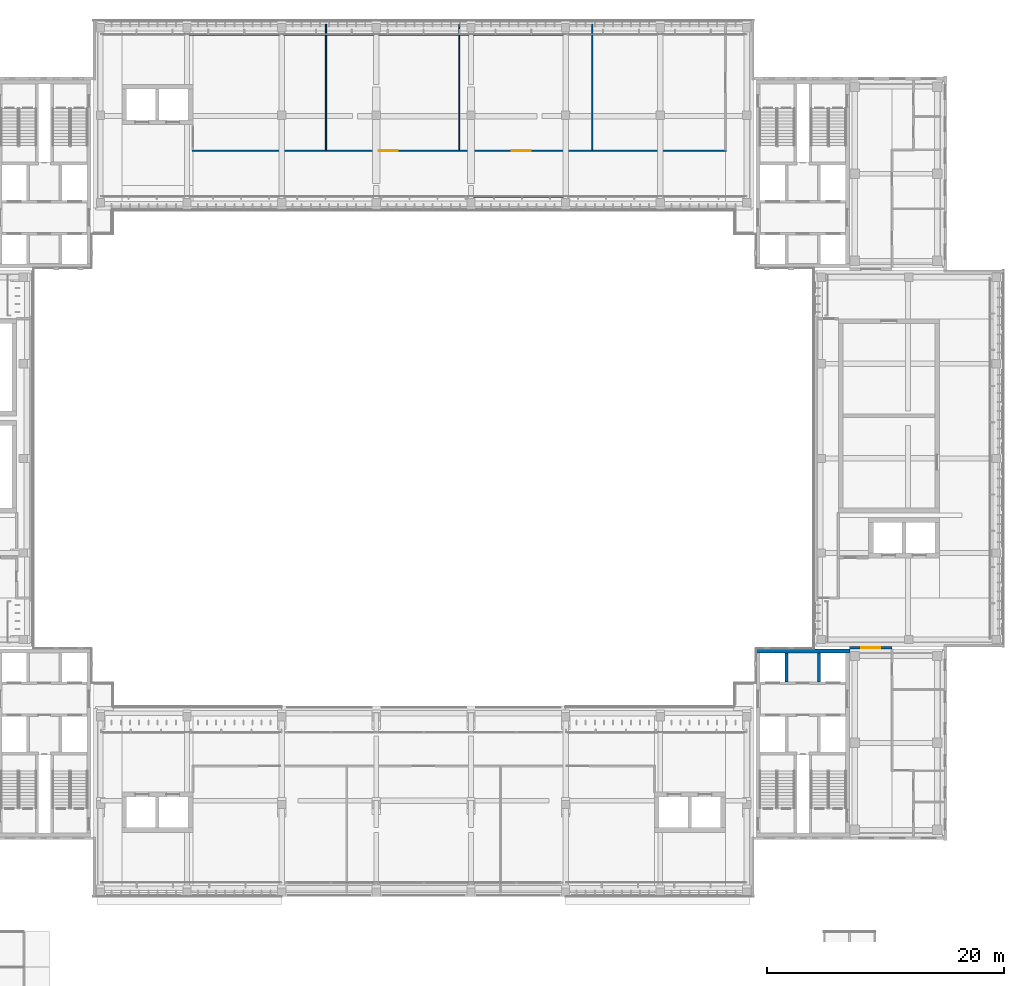
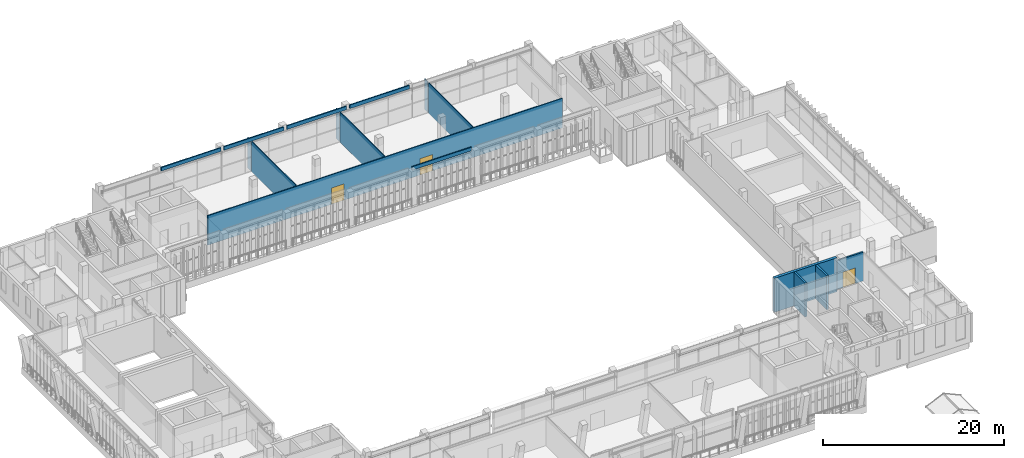
# One storey, part 49 of 73: 16 walls, 3 doors, 3 openings.
"""IFC4 building model written with IfcOpenShell, lengths in metres."""

import ifcopenshell
import ifcopenshell.guid

model = None  # the IFC model being written
_history = None  # IfcOwnerHistory: only IFC2X3 demands one
_inside = {}  # id of a spatial element -> (the spatial element, [elements in it])
_under = {}  # id of a project, library or spatial element -> (it, [spatial elements below it])
_declared = {}  # id of a project -> (the project, [libraries it declares])
_typed = {}  # id of a type object -> (the type object, [elements of that type])
_made_of = {}  # id of a material, layer set ... -> (it, [elements and type objects made of it])


def new_model(schema):
    """Start an empty IFC model of exactly this schema.

    Asked for "IFC4X3", IfcOpenShell would pick the latest addendum, in which some entities
    have other attributes; the version numbers below select the first issue.
    IFC2X3 requires an IfcOwnerHistory on every rooted entity: one is made here for all.
    """
    global model, _history
    if schema == "IFC4X3":
        model = ifcopenshell.file(schema_version=(4, 3, 0, 0))
    else:
        model = ifcopenshell.file(schema=schema)
    _inside.clear()
    _under.clear()
    _declared.clear()
    _typed.clear()
    _made_of.clear()
    _history = None
    if model.schema == "IFC2X3":
        org = make("IfcOrganization", Name="unknown")
        user = make(
            "IfcPersonAndOrganization",
            ThePerson=make("IfcPerson", FamilyName="unknown"),
            TheOrganization=org,
        )
        app = make(
            "IfcApplication",
            ApplicationDeveloper=org,
            Version="unknown",
            ApplicationFullName="unknown",
            ApplicationIdentifier="unknown",
        )
        _history = make(
            "IfcOwnerHistory",
            OwningUser=user,
            OwningApplication=app,
            ChangeAction="ADDED",
            CreationDate=0,
        )
    return model


def make(cls, **values):
    """One entity of the class cls with the attributes given. An attribute that is None is left unset."""
    return model.create_entity(
        cls, **{name: value for name, value in values.items() if value is not None}
    )


def rooted(cls, **values):
    """An entity with a GlobalId (a new one), such as an element, a storey or a relation."""
    return make(cls, GlobalId=ifcopenshell.guid.new(), OwnerHistory=_history, **values)


def si_unit(unit_type, name, prefix=None):
    """IfcSIUnit, for example si_unit("LENGTHUNIT", "METRE", prefix="MILLI")."""
    return make("IfcSIUnit", UnitType=unit_type, Prefix=prefix, Name=name)


def assignment(units):
    """IfcUnitAssignment: the units of a project."""
    return None if units is None else make("IfcUnitAssignment", Units=units)


def point(xyz):
    """IfcCartesianPoint."""
    return None if xyz is None else make("IfcCartesianPoint", Coordinates=xyz)


def direction(xyz):
    """IfcDirection."""
    return None if xyz is None else make("IfcDirection", DirectionRatios=xyz)


def frame(location, z_axis=None, x_axis=None):
    """IfcAxis2Placement3D, a coordinate frame: its origin and axes. An axis left out is left unset."""
    return make(
        "IfcAxis2Placement3D",
        Location=point(location),
        Axis=direction(z_axis),
        RefDirection=direction(x_axis),
    )


def frame_2d(location, x_axis=None):
    """IfcAxis2Placement2D, a coordinate frame in the plane: its origin and x axis."""
    return make(
        "IfcAxis2Placement2D", Location=point(location), RefDirection=direction(x_axis)
    )


def origin():
    """The frame at (0, 0, 0) with its axes left unset."""
    return frame((0.0, 0.0, 0.0))


def place(relative_to, where):
    """IfcLocalPlacement: puts the frame where relative to a parent placement (None: the world)."""
    return make(
        "IfcLocalPlacement", PlacementRelTo=relative_to, RelativePlacement=where
    )


def context(
    kind, dimensions, precision=None, world=None, true_north=None, identifier=None
):
    """IfcGeometricRepresentationContext, for example the 3D "Model" context."""
    return make(
        "IfcGeometricRepresentationContext",
        ContextIdentifier=identifier,
        ContextType=kind,
        CoordinateSpaceDimension=dimensions,
        Precision=precision,
        WorldCoordinateSystem=world,
        TrueNorth=true_north,
    )


def subcontext(parent, identifier, kind, view, scale=None):
    """IfcGeometricRepresentationSubContext, for example "Body" below "Model"."""
    return make(
        "IfcGeometricRepresentationSubContext",
        ContextIdentifier=identifier,
        ContextType=kind,
        ParentContext=parent,
        TargetScale=scale,
        TargetView=view,
    )


def project(units=None, contexts=None):
    """IfcProject with its units and contexts."""
    return rooted(
        "IfcProject",
        Name="project",
        RepresentationContexts=contexts,
        UnitsInContext=assignment(units),
    )


def spatial(cls, under=None, at=None, **own):
    """A site, building, storey or space (cls), placed at a placement, below another one or the project."""
    s = rooted(cls, ObjectPlacement=at, **own)
    if under is not None:
        _under.setdefault(under.id(), (under, []))[1].append(s)
    return s


def profile(cls, at=None, kind="AREA", **sizes):
    """A parametric profile (cls). Its sizes go by their IFC names, for example OverallWidth=200.0."""
    return make(cls, ProfileType=kind, Position=at, **sizes)


def rectangle(**sizes):
    """IfcRectangleProfileDef."""
    return profile("IfcRectangleProfileDef", **sizes)


def extrude(swept, where, along, depth):
    """IfcExtrudedAreaSolid: the profile swept, set in the frame where, extruded along a direction by depth."""
    return make(
        "IfcExtrudedAreaSolid",
        SweptArea=swept,
        Position=where,
        ExtrudedDirection=direction(along),
        Depth=depth,
    )


def shape(context_of_items, identifier, shape_type, items):
    """IfcShapeRepresentation: the items that make up one representation, for example the "Body"."""
    return make(
        "IfcShapeRepresentation",
        ContextOfItems=context_of_items,
        RepresentationIdentifier=identifier,
        RepresentationType=shape_type,
        Items=items,
    )


def material(Name=None, Category=None):
    """IfcMaterial."""
    return make("IfcMaterial", Name=Name, Category=Category)


def layer(
    of_material, thickness, ventilated=None, Name=None, Category=None, Priority=None
):
    """IfcMaterialLayer: one layer of a wall or slab, of a material (None: an air gap)."""
    return make(
        "IfcMaterialLayer",
        Material=of_material,
        LayerThickness=thickness,
        IsVentilated=ventilated,
        Name=Name,
        Category=Category,
        Priority=Priority,
    )


def layer_set(layers, Name=None):
    """IfcMaterialLayerSet."""
    return make("IfcMaterialLayerSet", MaterialLayers=layers, LayerSetName=Name)


def made_of(thing, what):
    """Note that an element or type object is made of a material, layer set ...; save() writes the relation."""
    if what is not None:
        _made_of.setdefault(what.id(), (what, []))[1].append(thing)
    return thing


def type_object(cls, material=None, **own):
    """A type object (cls), such as IfcWallType, which elements share."""
    return made_of(rooted(cls, **own), material)


def element(
    cls,
    number,
    at=None,
    inside=None,
    cuts=None,
    type_object=None,
    material=None,
    context=None,
    identifier="Body",
    shape_type=None,
    held_by="IfcProductDefinitionShape",
    body=None,
    shapes=None,
    **own,
):
    """One element of the class cls, such as IfcWall. Its Tag is "e" and its number.

    at: its placement. inside: the storey or other place that contains it. cuts: it is an
    opening in that element (IfcRelVoidsElement). A single representation is given by context,
    identifier, shape_type and body (its items); several are given by shapes. held_by: the class
    of the entity that holds the representations. save() writes the other relations.
    """
    e = rooted(cls, Tag="e%d" % number, ObjectPlacement=at, **own)
    if body is not None:
        shapes = [shape(context, identifier, shape_type, body)]
    if shapes is not None:
        e.Representation = make(held_by, Representations=shapes)
    if inside is not None:
        _inside.setdefault(inside.id(), (inside, []))[1].append(e)
    if cuts is not None:
        rooted(
            "IfcRelVoidsElement", RelatingBuildingElement=cuts, RelatedOpeningElement=e
        )
    if type_object is not None:
        _typed.setdefault(type_object.id(), (type_object, []))[1].append(e)
    return made_of(e, material)


def fill(opening, filler):
    """IfcRelFillsElement: the door or window that sits in an opening."""
    return rooted(
        "IfcRelFillsElement",
        RelatingOpeningElement=opening,
        RelatedBuildingElement=filler,
    )


def aggregate(whole, parts):
    """IfcRelAggregates: a whole, such as a stair, and the parts it consists of."""
    return rooted("IfcRelAggregates", RelatingObject=whole, RelatedObjects=parts)


def save(model, path):
    """Write the relations noted so far, then the file.

    IfcRelAggregates (storeys below a building ...), IfcRelContainedInSpatialStructure (elements
    in a storey), IfcRelDefinesByType, IfcRelAssociatesMaterial and IfcRelDeclares: one each for
    every whole, place, type object, material and project.
    """
    for whole, parts in _under.values():
        aggregate(whole, parts)
    for where, things in _inside.values():
        rooted(
            "IfcRelContainedInSpatialStructure",
            RelatedElements=things,
            RelatingStructure=where,
        )
    for kind, things in _typed.values():
        rooted("IfcRelDefinesByType", RelatedObjects=things, RelatingType=kind)
    for what, things in _made_of.values():
        rooted("IfcRelAssociatesMaterial", RelatedObjects=things, RelatingMaterial=what)
    for by, libraries in _declared.values():
        rooted("IfcRelDeclares", RelatingContext=by, RelatedDefinitions=libraries)
    model.write(path)


model = new_model("IFC4")

# Units and contexts
model_context = context("Model", 3, precision=1e-05, world=origin(), true_north=direction((0.0, 1.0)))
body_context = subcontext(model_context, "Body", "Model", "MODEL_VIEW")
ifc_project = project(units=[si_unit("LENGTHUNIT", "METRE"), si_unit("AREAUNIT", "SQUARE_METRE"), si_unit("VOLUMEUNIT", "CUBIC_METRE"), si_unit("PLANEANGLEUNIT", "RADIAN"), si_unit("MASSUNIT", "GRAM", prefix="KILO")], contexts=[model_context])

# Site, building, storey
site_placement = place(None, origin())
site = spatial("IfcSite", under=ifc_project, at=site_placement, CompositionType="ELEMENT")
building_placement = place(site_placement, origin())
building = spatial("IfcBuilding", under=site, at=building_placement, Name="Lantern Court Media Centre", CompositionType="ELEMENT")
storey_placement = place(building_placement, frame((0.0, 0.0, 24.0)))
storey = spatial("IfcBuildingStorey", under=building, at=storey_placement, Name="L05", CompositionType="ELEMENT", Elevation=24.0)

# Wall, openings, doors
ifc_material_1 = material(Name="Gypsum board partition")
ifc_layer_1 = layer(ifc_material_1, 0.125)
ifc_layer_set_1 = layer_set([ifc_layer_1], Name="Gypsum board partition")
wall_type_1 = type_object("IfcWallType", Name="Corridor partition 125", PredefinedType="PARTITIONING", material=ifc_layer_set_1)
wall_1_placement = place(storey_placement, frame((32.4375, 106.0, 0.0), z_axis=(0.0, 0.0, 1.0), x_axis=(1.0, 0.0, 0.0)))
wall_1 = element("IfcWall", 1, at=wall_1_placement, inside=storey, type_object=wall_type_1, Name="L05 partition 010", PredefinedType="PARTITIONING", context=body_context, shape_type="SweptSolid", body=[
    extrude(rectangle(XDim=45.125, YDim=0.125, at=frame_2d((22.5625, 0.0))), origin(), (0.0, 0.0, 1.0), 3.97998046875),
])
opening_1_placement = place(wall_1_placement, frame((15.757080078125, 0.0, 0.0)))
opening_1 = element("IfcOpeningElement", 2, at=opening_1_placement, cuts=wall_1, Name="Opening L05-005", PredefinedType="OPENING", context=body_context, shape_type="SweptSolid", body=[
    extrude(rectangle(XDim=1.60009765625, YDim=2.199951171875, at=frame_2d((0.800048828125, 1.10009765625))), frame((0.0, 0.072509765625, 0.0), z_axis=(0.0, -1.0, 0.0), x_axis=(1.0, 0.0, 0.0)), (0.0, 0.0, 1.0), 0.14501953125),
])
opening_2_placement = place(wall_1_placement, frame((27.007080078125, 0.0, 0.0)))
opening_2 = element("IfcOpeningElement", 3, at=opening_2_placement, cuts=wall_1, Name="Opening L05-006", PredefinedType="OPENING", context=body_context, shape_type="SweptSolid", body=[
    extrude(rectangle(XDim=1.60009765625, YDim=2.199951171875, at=frame_2d((0.800048828125, 1.10009765625))), frame((0.0, 0.072509765625, 0.0), z_axis=(0.0, -1.0, 0.0), x_axis=(1.0, 0.0, 0.0)), (0.0, 0.0, 1.0), 0.14501953125),
])
ifc_material_2 = material(Name="Solid-core timber door leaf", Category="wood")
door_type_1 = type_object("IfcDoorType", Name="Double door 1600x2200", OperationType="NOTDEFINED", PredefinedType="DOOR", material=ifc_material_2)
door_1_placement = place(opening_1_placement, frame((1.60009765625, 0.0, 0.0), z_axis=(0.0, 0.0, 1.0), x_axis=(-1.0, 0.0, 0.0)))
door_1 = element("IfcDoor", 4, at=door_1_placement, inside=storey, type_object=door_type_1, Name="L05 Production Office 07 door", OperationType="DOUBLE_DOOR_SINGLE_SWING", OverallHeight=2.199951171875, OverallWidth=1.60009765625, PredefinedType="DOOR", context=body_context, shape_type="SweptSolid", body=[
    extrude(rectangle(XDim=1.60009765625, YDim=2.199951171875, at=frame_2d((0.800048828125, 1.10009765625))), frame((0.0, 0.02490234375, 0.0), z_axis=(0.0, -1.0, 0.0), x_axis=(1.0, 0.0, 0.0)), (0.0, 0.0, 1.0), 0.050048828125),
])
fill(opening_1, door_1)
door_2_placement = place(opening_2_placement, frame((1.60009765625, 0.0, 0.0), z_axis=(0.0, 0.0, 1.0), x_axis=(-1.0, 0.0, 0.0)))
door_2 = element("IfcDoor", 5, at=door_2_placement, inside=storey, type_object=door_type_1, Name="L05 Conference Room 02 door", OperationType="DOUBLE_DOOR_SINGLE_SWING", OverallHeight=2.199951171875, OverallWidth=1.60009765625, PredefinedType="DOOR", context=body_context, shape_type="SweptSolid", body=[
    extrude(rectangle(XDim=1.60009765625, YDim=2.199951171875, at=frame_2d((0.800048828125, 1.10009765625))), frame((0.0, 0.02490234375, 0.0), z_axis=(0.0, -1.0, 0.0), x_axis=(1.0, 0.0, 0.0)), (0.0, 0.0, 1.0), 0.050048828125),
])
fill(opening_2, door_2)

# Walls
ifc_material_3 = material(Name="Insulated rendered blockwork", Category="masonry")
ifc_layer_2 = layer(ifc_material_3, 0.14990234375)
ifc_layer_set_2 = layer_set([ifc_layer_2], Name="Insulated rendered blockwork")
wall_type_2 = type_object("IfcWallType", Name="Head infill wall 150", PredefinedType="SOLIDWALL", material=ifc_layer_set_2)
for number, where, z_axis, x_axis, name in (
    (6, (32.199951171875, 115.85009765625, 4.10009765625), (0.0, 0.0, 1.0), (1.0, 0.0, 0.0), "Head infill wall N outer L05"),
    (7, (40.199951171875, 115.85009765625, 4.10009765625), (0.0, 0.0, 1.0), (1.0, 0.0, 0.0), "Head infill wall N outer L05"),
    (8, (48.199951171875, 115.85009765625, 4.10009765625), (0.0, 0.0, 1.0), (1.0, 0.0, 0.0), "Head infill wall N outer L05"),
    (9, (56.199951171875, 115.85009765625, 4.10009765625), (0.0, 0.0, 1.0), (1.0, 0.0, 0.0), "Head infill wall N outer L05"),
    (10, (56.199951171875, 102.14990234375, 4.10009765625), (0.0, 0.0, 1.0), (1.0, 0.0, 0.0), "Head infill wall N inner L05"),
):
    element("IfcWall", number, at=place(storey_placement, frame(where, z_axis=z_axis, x_axis=x_axis)), inside=storey, type_object=wall_type_2, Name=name, PredefinedType="SOLIDWALL", context=body_context, shape_type="SweptSolid", body=[
        extrude(rectangle(XDim=7.60009765625, YDim=0.14990234375, at=frame_2d((3.800048828125, 0.0))), origin(), (0.0, 0.0, 1.0), 0.47998046875),
    ])

# Wall, opening, door
ifc_material_4 = material(Name="Fire-rated gypsum board")
ifc_layer_3 = layer(ifc_material_4, 0.199951171875)
ifc_layer_set_3 = layer_set([ifc_layer_3], Name="Fire-rated gypsum board")
wall_type_3 = type_object("IfcWallType", Name="Movement-joint compartment wall 200", PredefinedType="PARTITIONING", material=ifc_layer_set_3)
wall_2_placement = place(storey_placement, frame((88.0, 64.0, 0.0), z_axis=(0.0, 0.0, 1.0), x_axis=(1.0, 0.0, 0.0)))
wall_2 = element("IfcWall", 11, at=wall_2_placement, inside=storey, type_object=wall_type_3, Name="L05 movement-joint wall 21", PredefinedType="PARTITIONING", context=body_context, shape_type="SweptSolid", body=[
    extrude(rectangle(XDim=3.60009765625, YDim=0.199951171875, at=frame_2d((1.800048828125, 0.0))), origin(), (0.0, 0.0, 1.0), 3.8798828125),
])
opening_3_placement = place(wall_2_placement, frame((1.0, 0.0, 0.0)))
opening_3 = element("IfcOpeningElement", 12, at=opening_3_placement, cuts=wall_2, Name="Opening L05-J21", PredefinedType="OPENING", context=body_context, shape_type="SweptSolid", body=[
    extrude(rectangle(XDim=1.60009765625, YDim=2.10009765625, at=frame_2d((0.800048828125, 1.050048828125))), frame((0.0, 0.10986328125, 0.0), z_axis=(0.0, -1.0, 0.0), x_axis=(1.0, 0.0, 0.0)), (0.0, 0.0, 1.0), 0.219970703125),
])
ifc_material_5 = material(Name="Steel door leaf", Category="steel")
door_type_2 = type_object("IfcDoorType", Name="Movement-joint fire door pair 1600x2100", OperationType="NOTDEFINED", PredefinedType="DOOR", material=ifc_material_5)
door_3_placement = place(opening_3_placement, frame((1.60009765625, 0.0, 0.0), z_axis=(0.0, 0.0, 1.0), x_axis=(-1.0, 0.0, 0.0)))
door_3 = element("IfcDoor", 13, at=door_3_placement, inside=storey, type_object=door_type_2, Name="L05 bar end lobby door 21", OperationType="DOUBLE_DOOR_SINGLE_SWING", OverallHeight=2.10009765625, OverallWidth=1.60009765625, PredefinedType="DOOR", context=body_context, shape_type="SweptSolid", body=[
    extrude(rectangle(XDim=1.60009765625, YDim=2.10009765625, at=frame_2d((0.800048828125, 1.050048828125))), frame((0.0, 0.02490234375, 0.0), z_axis=(0.0, -1.0, 0.0), x_axis=(1.0, 0.0, 0.0)), (0.0, 0.0, 1.0), 0.050048828125),
])
fill(opening_3, door_3)

# Walls
ifc_layer_4 = layer(ifc_material_1, 0.10009765625)
ifc_layer_set_4 = layer_set([ifc_layer_4], Name="Gypsum board partition")
wall_type_4 = type_object("IfcWallType", Name="Partition 100", PredefinedType="PARTITIONING", material=ifc_layer_set_4)
wall_3_placement = place(storey_placement, frame((43.75, 106.0625, 0.0), z_axis=(0.0, 0.0, 1.0), x_axis=(0.0, 1.0, 0.0)))
element("IfcWall", 14, at=wall_3_placement, inside=storey, type_object=wall_type_4, Name="L05 partition 008", PredefinedType="PARTITIONING", context=body_context, shape_type="SweptSolid", body=[
    extrude(rectangle(XDim=9.70751953125, YDim=0.10009765625, at=frame_2d((4.853759765625, 0.0))), origin(), (0.0, 0.0, 1.0), 4.080078125),
])
wall_4_placement = place(storey_placement, frame((43.75, 115.929931640625, 0.0), z_axis=(0.0, 0.0, 1.0), x_axis=(0.0, 1.0, 0.0)))
element("IfcWall", 15, at=wall_4_placement, inside=storey, type_object=wall_type_4, Name="L05 partition 009", PredefinedType="PARTITIONING", context=body_context, shape_type="SweptSolid", body=[
    extrude(rectangle(XDim=0.77001953125, YDim=0.10009765625, at=frame_2d((0.385009765625, 0.0))), origin(), (0.0, 0.0, 1.0), 4.080078125),
])
wall_5_placement = place(storey_placement, frame((55.0, 106.0625, 0.0), z_axis=(0.0, 0.0, 1.0), x_axis=(0.0, 1.0, 0.0)))
element("IfcWall", 16, at=wall_5_placement, inside=storey, type_object=wall_type_4, Name="L05 partition 011", PredefinedType="PARTITIONING", context=body_context, shape_type="SweptSolid", body=[
    extrude(rectangle(XDim=9.70751953125, YDim=0.10009765625, at=frame_2d((4.853759765625, 0.0))), origin(), (0.0, 0.0, 1.0), 4.080078125),
])
wall_6_placement = place(storey_placement, frame((55.0, 115.929931640625, 0.0), z_axis=(0.0, 0.0, 1.0), x_axis=(0.0, 1.0, 0.0)))
element("IfcWall", 17, at=wall_6_placement, inside=storey, type_object=wall_type_4, Name="L05 partition 012", PredefinedType="PARTITIONING", context=body_context, shape_type="SweptSolid", body=[
    extrude(rectangle(XDim=0.77001953125, YDim=0.10009765625, at=frame_2d((0.385009765625, 0.0))), origin(), (0.0, 0.0, 1.0), 4.080078125),
])
wall_7_placement = place(storey_placement, frame((66.25, 106.0625, 0.0), z_axis=(0.0, 0.0, 1.0), x_axis=(0.0, 1.0, 0.0)))
element("IfcWall", 18, at=wall_7_placement, inside=storey, type_object=wall_type_4, Name="L05 partition 013", PredefinedType="PARTITIONING", context=body_context, shape_type="SweptSolid", body=[
    extrude(rectangle(XDim=9.70751953125, YDim=0.10009765625, at=frame_2d((4.853759765625, 0.0))), origin(), (0.0, 0.0, 1.0), 4.080078125),
])
wall_8_placement = place(storey_placement, frame((66.25, 115.929931640625, 0.0), z_axis=(0.0, 0.0, 1.0), x_axis=(0.0, 1.0, 0.0)))
element("IfcWall", 19, at=wall_8_placement, inside=storey, type_object=wall_type_4, Name="L05 partition 014", PredefinedType="PARTITIONING", context=body_context, shape_type="SweptSolid", body=[
    extrude(rectangle(XDim=0.77001953125, YDim=0.10009765625, at=frame_2d((0.385009765625, 0.0))), origin(), (0.0, 0.0, 1.0), 4.080078125),
])
ifc_material_6 = material(Name="Concrete C40", Category="concrete")
ifc_layer_5 = layer(ifc_material_6, 0.35009765625)
ifc_layer_set_5 = layer_set([ifc_layer_5], Name="Concrete C40")
wall_type_5 = type_object("IfcWallType", Name="RC CORE WALL 350", PredefinedType="SHEAR", material=ifc_layer_set_5)
wall_9_placement = place(storey_placement, frame((80.10009765625, 63.72509765625, 0.0), z_axis=(0.0, 0.0, 1.0), x_axis=(1.0, 0.0, 0.0)))
element("IfcWall", 20, at=wall_9_placement, inside=storey, type_object=wall_type_5, Name="WC-SE-L05-N", PredefinedType="SHEAR", context=body_context, shape_type="SweptSolid", body=[
    extrude(rectangle(XDim=7.949951171875, YDim=0.35009765625, at=frame_2d((3.97509765625, 0.0))), origin(), (0.0, 0.0, 1.0), 4.580078125),
])
ifc_layer_6 = layer(ifc_material_6, 0.25)
ifc_layer_set_6 = layer_set([ifc_layer_6], Name="Concrete C40")
wall_type_6 = type_object("IfcWallType", Name="RC lift shaft wall 250", PredefinedType="SOLIDWALL", material=ifc_layer_set_6)
for number, where, z_axis, x_axis, name in (
    (21, (85.425048828125, 61.10009765625, 0.0), (0.0, 0.0, 1.0), (0.0, 1.0, 0.0), "L05 SE L1b"),
    (22, (82.675048828125, 61.10009765625, 0.0), (0.0, 0.0, 1.0), (0.0, 1.0, 0.0), "L05 SE L2b"),
):
    element("IfcWall", number, at=place(storey_placement, frame(where, z_axis=z_axis, x_axis=x_axis)), inside=storey, type_object=wall_type_6, Name=name, PredefinedType="SOLIDWALL", context=body_context, shape_type="SweptSolid", body=[
        extrude(rectangle(XDim=2.449951171875, YDim=0.25, at=frame_2d((1.22509765625, 0.0))), origin(), (0.0, 0.0, 1.0), 4.550048828125),
    ])

save(model, "model.ifc")
